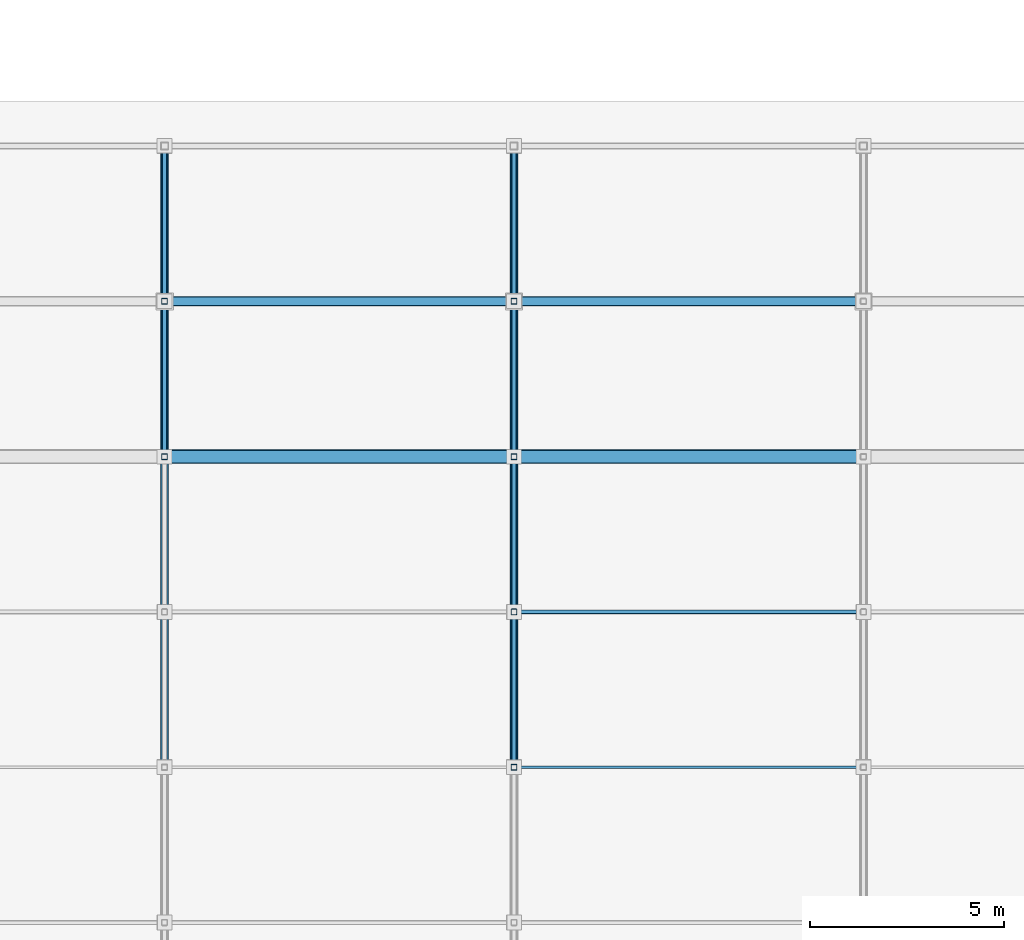
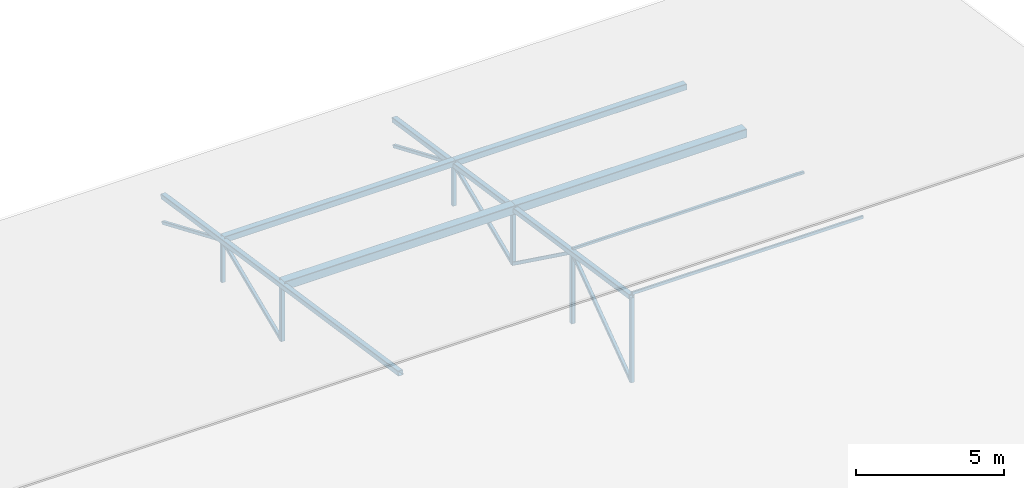
# One storey, part 17 of 118: 18 members, 2 beams.
"""IFC4 building model written with IfcOpenShell, lengths in metres."""

import ifcopenshell
import ifcopenshell.guid

model = None  # the IFC model being written
_history = None  # IfcOwnerHistory: only IFC2X3 demands one
_inside = {}  # id of a spatial element -> (the spatial element, [elements in it])
_under = {}  # id of a project, library or spatial element -> (it, [spatial elements below it])
_declared = {}  # id of a project -> (the project, [libraries it declares])
_typed = {}  # id of a type object -> (the type object, [elements of that type])
_made_of = {}  # id of a material, layer set ... -> (it, [elements and type objects made of it])


def new_model(schema):
    """Start an empty IFC model of exactly this schema.

    Asked for "IFC4X3", IfcOpenShell would pick the latest addendum, in which some entities
    have other attributes; the version numbers below select the first issue.
    IFC2X3 requires an IfcOwnerHistory on every rooted entity: one is made here for all.
    """
    global model, _history
    if schema == "IFC4X3":
        model = ifcopenshell.file(schema_version=(4, 3, 0, 0))
    else:
        model = ifcopenshell.file(schema=schema)
    _inside.clear()
    _under.clear()
    _declared.clear()
    _typed.clear()
    _made_of.clear()
    _history = None
    if model.schema == "IFC2X3":
        org = make("IfcOrganization", Name="unknown")
        user = make(
            "IfcPersonAndOrganization",
            ThePerson=make("IfcPerson", FamilyName="unknown"),
            TheOrganization=org,
        )
        app = make(
            "IfcApplication",
            ApplicationDeveloper=org,
            Version="unknown",
            ApplicationFullName="unknown",
            ApplicationIdentifier="unknown",
        )
        _history = make(
            "IfcOwnerHistory",
            OwningUser=user,
            OwningApplication=app,
            ChangeAction="ADDED",
            CreationDate=0,
        )
    return model


def make(cls, **values):
    """One entity of the class cls with the attributes given. An attribute that is None is left unset."""
    return model.create_entity(
        cls, **{name: value for name, value in values.items() if value is not None}
    )


def rooted(cls, **values):
    """An entity with a GlobalId (a new one), such as an element, a storey or a relation."""
    return make(cls, GlobalId=ifcopenshell.guid.new(), OwnerHistory=_history, **values)


def si_unit(unit_type, name, prefix=None):
    """IfcSIUnit, for example si_unit("LENGTHUNIT", "METRE", prefix="MILLI")."""
    return make("IfcSIUnit", UnitType=unit_type, Prefix=prefix, Name=name)


def assignment(units):
    """IfcUnitAssignment: the units of a project."""
    return None if units is None else make("IfcUnitAssignment", Units=units)


def point(xyz):
    """IfcCartesianPoint."""
    return None if xyz is None else make("IfcCartesianPoint", Coordinates=xyz)


def direction(xyz):
    """IfcDirection."""
    return None if xyz is None else make("IfcDirection", DirectionRatios=xyz)


def frame(location, z_axis=None, x_axis=None):
    """IfcAxis2Placement3D, a coordinate frame: its origin and axes. An axis left out is left unset."""
    return make(
        "IfcAxis2Placement3D",
        Location=point(location),
        Axis=direction(z_axis),
        RefDirection=direction(x_axis),
    )


def frame_2d(location, x_axis=None):
    """IfcAxis2Placement2D, a coordinate frame in the plane: its origin and x axis."""
    return make(
        "IfcAxis2Placement2D", Location=point(location), RefDirection=direction(x_axis)
    )


def origin():
    """The frame at (0, 0, 0) with its axes left unset."""
    return frame((0.0, 0.0, 0.0))


def origin_2d():
    """The frame at (0, 0) in the plane with its x axis left unset."""
    return frame_2d((0.0, 0.0))


def place(relative_to, where):
    """IfcLocalPlacement: puts the frame where relative to a parent placement (None: the world)."""
    return make(
        "IfcLocalPlacement", PlacementRelTo=relative_to, RelativePlacement=where
    )


def context(
    kind, dimensions, precision=None, world=None, true_north=None, identifier=None
):
    """IfcGeometricRepresentationContext, for example the 3D "Model" context."""
    return make(
        "IfcGeometricRepresentationContext",
        ContextIdentifier=identifier,
        ContextType=kind,
        CoordinateSpaceDimension=dimensions,
        Precision=precision,
        WorldCoordinateSystem=world,
        TrueNorth=true_north,
    )


def subcontext(parent, identifier, kind, view, scale=None):
    """IfcGeometricRepresentationSubContext, for example "Body" below "Model"."""
    return make(
        "IfcGeometricRepresentationSubContext",
        ContextIdentifier=identifier,
        ContextType=kind,
        ParentContext=parent,
        TargetScale=scale,
        TargetView=view,
    )


def project(units=None, contexts=None):
    """IfcProject with its units and contexts."""
    return rooted(
        "IfcProject",
        Name="project",
        RepresentationContexts=contexts,
        UnitsInContext=assignment(units),
    )


def spatial(cls, under=None, at=None, **own):
    """A site, building, storey or space (cls), placed at a placement, below another one or the project."""
    s = rooted(cls, ObjectPlacement=at, **own)
    if under is not None:
        _under.setdefault(under.id(), (under, []))[1].append(s)
    return s


def profile(cls, at=None, kind="AREA", **sizes):
    """A parametric profile (cls). Its sizes go by their IFC names, for example OverallWidth=200.0."""
    return make(cls, ProfileType=kind, Position=at, **sizes)


def hollow_rectangle(**sizes):
    """IfcRectangleHollowProfileDef."""
    return profile("IfcRectangleHollowProfileDef", **sizes)


def extrude(swept, where, along, depth):
    """IfcExtrudedAreaSolid: the profile swept, set in the frame where, extruded along a direction by depth."""
    return make(
        "IfcExtrudedAreaSolid",
        SweptArea=swept,
        Position=where,
        ExtrudedDirection=direction(along),
        Depth=depth,
    )


def shape(context_of_items, identifier, shape_type, items):
    """IfcShapeRepresentation: the items that make up one representation, for example the "Body"."""
    return make(
        "IfcShapeRepresentation",
        ContextOfItems=context_of_items,
        RepresentationIdentifier=identifier,
        RepresentationType=shape_type,
        Items=items,
    )


def material(Name=None, Category=None):
    """IfcMaterial."""
    return make("IfcMaterial", Name=Name, Category=Category)


def material_profile(
    of_material, cross_section, Name=None, Category=None, Priority=None
):
    """IfcMaterialProfile: a cross section and its material."""
    return make(
        "IfcMaterialProfile",
        Name=Name,
        Material=of_material,
        Profile=cross_section,
        Priority=Priority,
        Category=Category,
    )


def profile_set(profiles, Name=None, composite=None):
    """IfcMaterialProfileSet."""
    return make(
        "IfcMaterialProfileSet",
        Name=Name,
        MaterialProfiles=profiles,
        CompositeProfile=composite,
    )


def made_of(thing, what):
    """Note that an element or type object is made of a material, layer set ...; save() writes the relation."""
    if what is not None:
        _made_of.setdefault(what.id(), (what, []))[1].append(thing)
    return thing


def type_object(cls, material=None, **own):
    """A type object (cls), such as IfcWallType, which elements share."""
    return made_of(rooted(cls, **own), material)


def element(
    cls,
    number,
    at=None,
    inside=None,
    cuts=None,
    type_object=None,
    material=None,
    context=None,
    identifier="Body",
    shape_type=None,
    held_by="IfcProductDefinitionShape",
    body=None,
    shapes=None,
    **own,
):
    """One element of the class cls, such as IfcWall. Its Tag is "e" and its number.

    at: its placement. inside: the storey or other place that contains it. cuts: it is an
    opening in that element (IfcRelVoidsElement). A single representation is given by context,
    identifier, shape_type and body (its items); several are given by shapes. held_by: the class
    of the entity that holds the representations. save() writes the other relations.
    """
    e = rooted(cls, Tag="e%d" % number, ObjectPlacement=at, **own)
    if body is not None:
        shapes = [shape(context, identifier, shape_type, body)]
    if shapes is not None:
        e.Representation = make(held_by, Representations=shapes)
    if inside is not None:
        _inside.setdefault(inside.id(), (inside, []))[1].append(e)
    if cuts is not None:
        rooted(
            "IfcRelVoidsElement", RelatingBuildingElement=cuts, RelatedOpeningElement=e
        )
    if type_object is not None:
        _typed.setdefault(type_object.id(), (type_object, []))[1].append(e)
    return made_of(e, material)


def aggregate(whole, parts):
    """IfcRelAggregates: a whole, such as a stair, and the parts it consists of."""
    return rooted("IfcRelAggregates", RelatingObject=whole, RelatedObjects=parts)


def save(model, path):
    """Write the relations noted so far, then the file.

    IfcRelAggregates (storeys below a building ...), IfcRelContainedInSpatialStructure (elements
    in a storey), IfcRelDefinesByType, IfcRelAssociatesMaterial and IfcRelDeclares: one each for
    every whole, place, type object, material and project.
    """
    for whole, parts in _under.values():
        aggregate(whole, parts)
    for where, things in _inside.values():
        rooted(
            "IfcRelContainedInSpatialStructure",
            RelatedElements=things,
            RelatingStructure=where,
        )
    for kind, things in _typed.values():
        rooted("IfcRelDefinesByType", RelatedObjects=things, RelatingType=kind)
    for what, things in _made_of.values():
        rooted("IfcRelAssociatesMaterial", RelatedObjects=things, RelatingMaterial=what)
    for by, libraries in _declared.values():
        rooted("IfcRelDeclares", RelatingContext=by, RelatedDefinitions=libraries)
    model.write(path)


model = new_model("IFC4")

# Units and contexts
model_context = context("Model", 3, precision=1e-05, world=origin(), true_north=direction((0.0, 1.0)))
body_context = subcontext(model_context, "Body", "Model", "MODEL_VIEW")
ifc_project = project(units=[si_unit("LENGTHUNIT", "METRE"), si_unit("AREAUNIT", "SQUARE_METRE"), si_unit("VOLUMEUNIT", "CUBIC_METRE"), si_unit("PLANEANGLEUNIT", "RADIAN"), si_unit("MASSUNIT", "GRAM", prefix="KILO"), si_unit("THERMODYNAMICTEMPERATUREUNIT", "KELVIN"), si_unit("POWERUNIT", "WATT")], contexts=[model_context])

# Site, building, storey
site_placement = place(None, origin())
site = spatial("IfcSite", under=ifc_project, at=site_placement, CompositionType="ELEMENT")
building_placement = place(site_placement, origin())
building = spatial("IfcBuilding", under=site, at=building_placement, Name="Zelmaris Science Centre", CompositionType="ELEMENT")
storey_placement = place(building_placement, frame((0.0, 0.0, 15.60009765625)))
storey = spatial("IfcBuildingStorey", under=building, at=storey_placement, Name="L03", CompositionType="ELEMENT", Elevation=15.60009765625)

# Beams
ifc_material = material(Name="Steel ASTM A500 Grade C", Category="steel")
ifc_material_profile_1 = material_profile(ifc_material, hollow_rectangle(XDim=0.203125, YDim=0.203125, WallThickness=0.01171875, InnerFilletRadius=0.01171875, OuterFilletRadius=0.023681640625, at=origin_2d()), Name="HSS203X203X13")
ifc_profile_set_1 = profile_set([ifc_material_profile_1], Name="Steel ASTM A500 Grade C")
beam_type = type_object("IfcBeamType", Name="Beam G-20 HSS203X203X13", PredefinedType="BEAM", material=ifc_profile_set_1)
for number, where, z_axis, x_axis, name in (
    (1, (27.0, 24.0, 3.3955078125), (0.0, 0.988937238327, -0.148334549755), (-1.0, 0.0, 0.0), "RF-V3 Roof truss 3 north top chord"),
    (2, (36.0, 24.0, 3.3955078125), (0.0, 0.988937238327, -0.148334549755), (-1.0, 0.0, 0.0), "RF-V3 Roof truss 4 north top chord"),
):
    element("IfcBeam", number, at=place(storey_placement, frame(where, z_axis=z_axis, x_axis=x_axis)), inside=storey, type_object=beam_type, Name=name, PredefinedType="BEAM", context=body_context, shape_type="SweptSolid", body=[
        extrude(hollow_rectangle(XDim=0.203125, YDim=0.203125, WallThickness=0.01171875, InnerFilletRadius=0.01171875, OuterFilletRadius=0.023681640625, at=origin_2d()), origin(), (0.0, 0.0, 1.0), 16.178955078125),
    ])

# Members
ifc_material_profile_2 = material_profile(ifc_material, hollow_rectangle(XDim=0.076171875, YDim=0.126953125, WallThickness=0.005859375, InnerFilletRadius=0.005859375, OuterFilletRadius=0.01171875, at=origin_2d()), Name="HSS127X76X6")
ifc_profile_set_2 = profile_set([ifc_material_profile_2], Name="Steel ASTM A500 Grade C")
member_type_1 = type_object("IfcMemberType", Name="Roof Purlin PR-06 HSS127X76X6", PredefinedType="PURLIN", material=ifc_profile_set_2)
member_1_placement = place(storey_placement, frame((36.0, 24.0, 3.52880859375), z_axis=(1.0, 0.0, 0.0), x_axis=(0.0, 1.0, 0.0)))
element("IfcMember", 3, at=member_1_placement, inside=storey, type_object=member_type_1, Name="RF-V3 Roof purlin 32", PredefinedType="PURLIN", context=body_context, shape_type="SweptSolid", body=[
    extrude(hollow_rectangle(XDim=0.076171875, YDim=0.126953125, WallThickness=0.005859375, InnerFilletRadius=0.005859375, OuterFilletRadius=0.01171875, at=origin_2d()), origin(), (0.0, 0.0, 1.0), 9.0),
])
ifc_material_profile_3 = material_profile(ifc_material, hollow_rectangle(XDim=0.1015625, YDim=0.1015625, WallThickness=0.005859375, InnerFilletRadius=0.005859375, OuterFilletRadius=0.01171875, at=origin_2d()), Name="HSS102X102X6")
ifc_profile_set_3 = profile_set([ifc_material_profile_3], Name="Steel ASTM A500 Grade C")
member_type_2 = type_object("IfcMemberType", Name="Roof Purlin PR-07 HSS102X102X6", PredefinedType="PURLIN", material=ifc_profile_set_3)
member_2_placement = place(storey_placement, frame((36.0, 28.0, 2.94140625), z_axis=(1.0, 0.0, 0.0), x_axis=(0.0, 1.0, 0.0)))
element("IfcMember", 4, at=member_2_placement, inside=storey, type_object=member_type_2, Name="RF-V3 Roof purlin 33", PredefinedType="PURLIN", context=body_context, shape_type="SweptSolid", body=[
    extrude(hollow_rectangle(XDim=0.1015625, YDim=0.1015625, WallThickness=0.005859375, InnerFilletRadius=0.005859375, OuterFilletRadius=0.01171875, at=origin_2d()), origin(), (0.0, 0.0, 1.0), 9.0),
])
ifc_material_profile_4 = material_profile(ifc_material, hollow_rectangle(XDim=0.355712890625, YDim=0.355712890625, WallThickness=0.0146484375, InnerFilletRadius=0.0146484375, OuterFilletRadius=0.029296875, at=origin_2d()), Name="HSS356X356X16")
ifc_profile_set_4 = profile_set([ifc_material_profile_4], Name="Steel ASTM A500 Grade C")
member_type_3 = type_object("IfcMemberType", Name="Roof Purlin PR-08 HSS356X356X16", PredefinedType="PURLIN", material=ifc_profile_set_4)
for number, where, z_axis, x_axis, name in (
    (5, (27.0, 32.0, 2.21435546875), (1.0, 0.0, 0.0), (0.0, 1.0, 0.0), "RF-V3 Roof purlin 25"),
    (6, (36.0, 32.0, 2.21435546875), (1.0, 0.0, 0.0), (0.0, 1.0, 0.0), "RF-V3 Roof purlin 34"),
):
    element("IfcMember", number, at=place(storey_placement, frame(where, z_axis=z_axis, x_axis=x_axis)), inside=storey, type_object=member_type_3, Name=name, PredefinedType="PURLIN", context=body_context, shape_type="SweptSolid", body=[
        extrude(hollow_rectangle(XDim=0.355712890625, YDim=0.355712890625, WallThickness=0.0146484375, InnerFilletRadius=0.0146484375, OuterFilletRadius=0.029296875, at=origin_2d()), origin(), (0.0, 0.0, 1.0), 9.0),
    ])
ifc_material_profile_5 = material_profile(ifc_material, hollow_rectangle(XDim=0.25390625, YDim=0.25390625, WallThickness=0.01171875, InnerFilletRadius=0.01171875, OuterFilletRadius=0.023681640625, at=origin_2d()), Name="HSS254X254X13")
ifc_profile_set_5 = profile_set([ifc_material_profile_5], Name="Steel ASTM A500 Grade C")
member_type_4 = type_object("IfcMemberType", Name="Roof Purlin PR-09 HSS254X254X13", PredefinedType="PURLIN", material=ifc_profile_set_5)
for number, where, z_axis, x_axis, name in (
    (7, (27.0, 36.0, 1.665283203125), (1.0, 0.0, 0.0), (0.0, 1.0, 0.0), "RF-V3 Roof purlin 26"),
    (8, (36.0, 36.0, 1.665283203125), (1.0, 0.0, 0.0), (0.0, 1.0, 0.0), "RF-V3 Roof purlin 35"),
):
    element("IfcMember", number, at=place(storey_placement, frame(where, z_axis=z_axis, x_axis=x_axis)), inside=storey, type_object=member_type_4, Name=name, PredefinedType="PURLIN", context=body_context, shape_type="SweptSolid", body=[
        extrude(hollow_rectangle(XDim=0.25390625, YDim=0.25390625, WallThickness=0.01171875, InnerFilletRadius=0.01171875, OuterFilletRadius=0.023681640625, at=origin_2d()), origin(), (0.0, 0.0, 1.0), 9.0),
    ])
ifc_material_profile_6 = material_profile(ifc_material, hollow_rectangle(XDim=0.15234375, YDim=0.15234375, WallThickness=0.0087890625, InnerFilletRadius=0.0087890625, OuterFilletRadius=0.017822265625, at=origin_2d()), Name="HSS152X152X10")
ifc_profile_set_6 = profile_set([ifc_material_profile_6], Name="Steel ASTM A500 Grade C")
member_type_5 = type_object("IfcMemberType", Name="Structural Brace BR-03 HSS152X152X10", PredefinedType="BRACE", material=ifc_profile_set_6)
member_3_placement = place(storey_placement, frame((27.0, 32.0, -0.1044921875), z_axis=(0.0, 0.0, 1.0), x_axis=(1.0, 0.0, 0.0)))
element("IfcMember", 9, at=member_3_placement, inside=storey, type_object=member_type_5, Name="RF-V3 Roof truss 3 vertical web 6", PredefinedType="BRACE", context=body_context, shape_type="SweptSolid", body=[
    extrude(hollow_rectangle(XDim=0.15234375, YDim=0.15234375, WallThickness=0.0087890625, InnerFilletRadius=0.0087890625, OuterFilletRadius=0.017822265625, at=origin_2d()), origin(), (0.0, 0.0, 1.0), 2.300048828125),
])
member_4_placement = place(storey_placement, frame((27.0, 36.0, -0.1044921875), z_axis=(0.0, 0.0, 1.0), x_axis=(1.0, 0.0, 0.0)))
element("IfcMember", 10, at=member_4_placement, inside=storey, type_object=member_type_5, Name="RF-V3 Roof truss 3 vertical web 7", PredefinedType="BRACE", context=body_context, shape_type="SweptSolid", body=[
    extrude(hollow_rectangle(XDim=0.15234375, YDim=0.15234375, WallThickness=0.0087890625, InnerFilletRadius=0.0087890625, OuterFilletRadius=0.017822265625, at=origin_2d()), origin(), (0.0, 0.0, 1.0), 1.7001953125),
])
member_5_placement = place(storey_placement, frame((36.0, 24.0, -0.1044921875), z_axis=(0.0, 0.0, 1.0), x_axis=(1.0, 0.0, 0.0)))
element("IfcMember", 11, at=member_5_placement, inside=storey, type_object=member_type_5, Name="RF-V3 Roof truss 4 vertical web 4", PredefinedType="BRACE", context=body_context, shape_type="SweptSolid", body=[
    extrude(hollow_rectangle(XDim=0.15234375, YDim=0.15234375, WallThickness=0.0087890625, InnerFilletRadius=0.0087890625, OuterFilletRadius=0.017822265625, at=origin_2d()), origin(), (0.0, 0.0, 1.0), 3.5),
])
member_6_placement = place(storey_placement, frame((36.0, 28.0, -0.1044921875), z_axis=(0.0, 0.0, 1.0), x_axis=(1.0, 0.0, 0.0)))
element("IfcMember", 12, at=member_6_placement, inside=storey, type_object=member_type_5, Name="RF-V3 Roof truss 4 vertical web 5", PredefinedType="BRACE", context=body_context, shape_type="SweptSolid", body=[
    extrude(hollow_rectangle(XDim=0.15234375, YDim=0.15234375, WallThickness=0.0087890625, InnerFilletRadius=0.0087890625, OuterFilletRadius=0.017822265625, at=origin_2d()), origin(), (0.0, 0.0, 1.0), 2.900146484375),
])
member_7_placement = place(storey_placement, frame((36.0, 32.0, -0.1044921875), z_axis=(0.0, 0.0, 1.0), x_axis=(1.0, 0.0, 0.0)))
element("IfcMember", 13, at=member_7_placement, inside=storey, type_object=member_type_5, Name="RF-V3 Roof truss 4 vertical web 6", PredefinedType="BRACE", context=body_context, shape_type="SweptSolid", body=[
    extrude(hollow_rectangle(XDim=0.15234375, YDim=0.15234375, WallThickness=0.0087890625, InnerFilletRadius=0.0087890625, OuterFilletRadius=0.017822265625, at=origin_2d()), origin(), (0.0, 0.0, 1.0), 2.300048828125),
])
member_8_placement = place(storey_placement, frame((36.0, 36.0, -0.1044921875), z_axis=(0.0, 0.0, 1.0), x_axis=(1.0, 0.0, 0.0)))
element("IfcMember", 14, at=member_8_placement, inside=storey, type_object=member_type_5, Name="RF-V3 Roof truss 4 vertical web 7", PredefinedType="BRACE", context=body_context, shape_type="SweptSolid", body=[
    extrude(hollow_rectangle(XDim=0.15234375, YDim=0.15234375, WallThickness=0.0087890625, InnerFilletRadius=0.0087890625, OuterFilletRadius=0.017822265625, at=origin_2d()), origin(), (0.0, 0.0, 1.0), 1.7001953125),
])
ifc_material_profile_7 = material_profile(ifc_material, hollow_rectangle(XDim=0.126953125, YDim=0.126953125, WallThickness=0.00732421875, InnerFilletRadius=0.00732421875, OuterFilletRadius=0.014892578125, at=origin_2d()), Name="HSS127X127X8")
ifc_profile_set_7 = profile_set([ifc_material_profile_7], Name="Steel ASTM A500 Grade C")
member_type_6 = type_object("IfcMemberType", Name="Structural Brace BR-04 HSS127X127X8", PredefinedType="BRACE", material=ifc_profile_set_7)
for number, where, z_axis, x_axis, name in (
    (15, (27.0, 32.0, -0.1044921875), (0.0, 0.920314741215, 0.39117870226), (-1.0, 0.0, 0.0), "RF-V3 Roof truss 3 web diagonal 7"),
    (16, (27.0, 36.0, 1.595703125), (0.0, 0.920314741215, -0.39117870226), (-1.0, 0.0, 0.0), "RF-V3 Roof truss 3 web diagonal 8"),
):
    element("IfcMember", number, at=place(storey_placement, frame(where, z_axis=z_axis, x_axis=x_axis)), inside=storey, type_object=member_type_6, Name=name, PredefinedType="BRACE", context=body_context, shape_type="SweptSolid", body=[
        extrude(hollow_rectangle(XDim=0.126953125, YDim=0.126953125, WallThickness=0.00732421875, InnerFilletRadius=0.00732421875, OuterFilletRadius=0.014892578125, at=origin_2d()), origin(), (0.0, 0.0, 1.0), 4.346435546875),
    ])
for number, where, z_axis, x_axis, name in (
    (17, (36.0, 24.0, -0.1044921875), (0.0, 0.80959635384, 0.586987004838), (-1.0, 0.0, 0.0), "RF-V3 Roof truss 4 web diagonal 5"),
    (18, (36.0, 28.0, 2.795654296875), (0.0, 0.80959635384, -0.586987004838), (-1.0, 0.0, 0.0), "RF-V3 Roof truss 4 web diagonal 6"),
):
    element("IfcMember", number, at=place(storey_placement, frame(where, z_axis=z_axis, x_axis=x_axis)), inside=storey, type_object=member_type_6, Name=name, PredefinedType="BRACE", context=body_context, shape_type="SweptSolid", body=[
        extrude(hollow_rectangle(XDim=0.126953125, YDim=0.126953125, WallThickness=0.00732421875, InnerFilletRadius=0.00732421875, OuterFilletRadius=0.014892578125, at=origin_2d()), origin(), (0.0, 0.0, 1.0), 4.940673828125),
    ])
for number, where, z_axis, x_axis, name in (
    (19, (36.0, 32.0, -0.1044921875), (0.0, 0.920314741215, 0.39117870226), (-1.0, 0.0, 0.0), "RF-V3 Roof truss 4 web diagonal 7"),
    (20, (36.0, 36.0, 1.595703125), (0.0, 0.920314741215, -0.39117870226), (-1.0, 0.0, 0.0), "RF-V3 Roof truss 4 web diagonal 8"),
):
    element("IfcMember", number, at=place(storey_placement, frame(where, z_axis=z_axis, x_axis=x_axis)), inside=storey, type_object=member_type_6, Name=name, PredefinedType="BRACE", context=body_context, shape_type="SweptSolid", body=[
        extrude(hollow_rectangle(XDim=0.126953125, YDim=0.126953125, WallThickness=0.00732421875, InnerFilletRadius=0.00732421875, OuterFilletRadius=0.014892578125, at=origin_2d()), origin(), (0.0, 0.0, 1.0), 4.346435546875),
    ])

save(model, "model.ifc")
